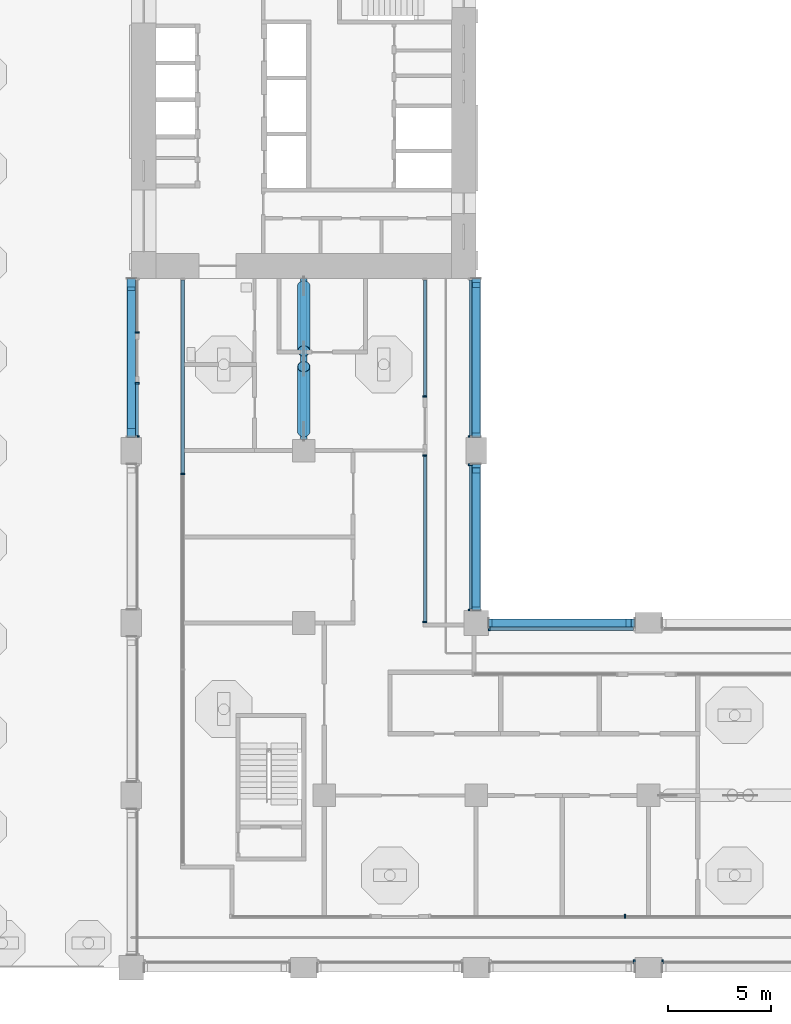
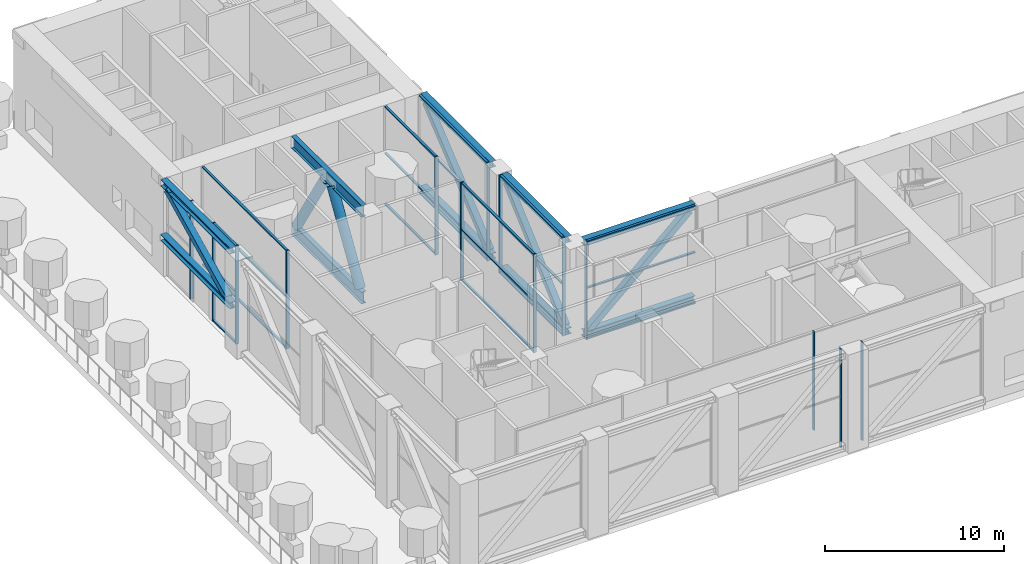
# One storey, part 3 of 22: 51 members, 11 elements without a shape of their own.
"""IFC4 building model written with IfcOpenShell, lengths in metres."""

import ifcopenshell
import ifcopenshell.guid

model = None  # the IFC model being written
_history = None  # IfcOwnerHistory: only IFC2X3 demands one
_inside = {}  # id of a spatial element -> (the spatial element, [elements in it])
_under = {}  # id of a project, library or spatial element -> (it, [spatial elements below it])
_declared = {}  # id of a project -> (the project, [libraries it declares])
_typed = {}  # id of a type object -> (the type object, [elements of that type])
_made_of = {}  # id of a material, layer set ... -> (it, [elements and type objects made of it])


def new_model(schema):
    """Start an empty IFC model of exactly this schema.

    Asked for "IFC4X3", IfcOpenShell would pick the latest addendum, in which some entities
    have other attributes; the version numbers below select the first issue.
    IFC2X3 requires an IfcOwnerHistory on every rooted entity: one is made here for all.
    """
    global model, _history
    if schema == "IFC4X3":
        model = ifcopenshell.file(schema_version=(4, 3, 0, 0))
    else:
        model = ifcopenshell.file(schema=schema)
    _inside.clear()
    _under.clear()
    _declared.clear()
    _typed.clear()
    _made_of.clear()
    _history = None
    if model.schema == "IFC2X3":
        org = make("IfcOrganization", Name="unknown")
        user = make(
            "IfcPersonAndOrganization",
            ThePerson=make("IfcPerson", FamilyName="unknown"),
            TheOrganization=org,
        )
        app = make(
            "IfcApplication",
            ApplicationDeveloper=org,
            Version="unknown",
            ApplicationFullName="unknown",
            ApplicationIdentifier="unknown",
        )
        _history = make(
            "IfcOwnerHistory",
            OwningUser=user,
            OwningApplication=app,
            ChangeAction="ADDED",
            CreationDate=0,
        )
    return model


def make(cls, **values):
    """One entity of the class cls with the attributes given. An attribute that is None is left unset."""
    return model.create_entity(
        cls, **{name: value for name, value in values.items() if value is not None}
    )


def rooted(cls, **values):
    """An entity with a GlobalId (a new one), such as an element, a storey or a relation."""
    return make(cls, GlobalId=ifcopenshell.guid.new(), OwnerHistory=_history, **values)


def si_unit(unit_type, name, prefix=None):
    """IfcSIUnit, for example si_unit("LENGTHUNIT", "METRE", prefix="MILLI")."""
    return make("IfcSIUnit", UnitType=unit_type, Prefix=prefix, Name=name)


def assignment(units):
    """IfcUnitAssignment: the units of a project."""
    return None if units is None else make("IfcUnitAssignment", Units=units)


def point(xyz):
    """IfcCartesianPoint."""
    return None if xyz is None else make("IfcCartesianPoint", Coordinates=xyz)


def direction(xyz):
    """IfcDirection."""
    return None if xyz is None else make("IfcDirection", DirectionRatios=xyz)


def frame(location, z_axis=None, x_axis=None):
    """IfcAxis2Placement3D, a coordinate frame: its origin and axes. An axis left out is left unset."""
    return make(
        "IfcAxis2Placement3D",
        Location=point(location),
        Axis=direction(z_axis),
        RefDirection=direction(x_axis),
    )


def frame_2d(location, x_axis=None):
    """IfcAxis2Placement2D, a coordinate frame in the plane: its origin and x axis."""
    return make(
        "IfcAxis2Placement2D", Location=point(location), RefDirection=direction(x_axis)
    )


def origin():
    """The frame at (0, 0, 0) with its axes left unset."""
    return frame((0.0, 0.0, 0.0))


def origin_2d():
    """The frame at (0, 0) in the plane with its x axis left unset."""
    return frame_2d((0.0, 0.0))


def place(relative_to, where):
    """IfcLocalPlacement: puts the frame where relative to a parent placement (None: the world)."""
    return make(
        "IfcLocalPlacement", PlacementRelTo=relative_to, RelativePlacement=where
    )


def context(
    kind, dimensions, precision=None, world=None, true_north=None, identifier=None
):
    """IfcGeometricRepresentationContext, for example the 3D "Model" context."""
    return make(
        "IfcGeometricRepresentationContext",
        ContextIdentifier=identifier,
        ContextType=kind,
        CoordinateSpaceDimension=dimensions,
        Precision=precision,
        WorldCoordinateSystem=world,
        TrueNorth=true_north,
    )


def subcontext(parent, identifier, kind, view, scale=None):
    """IfcGeometricRepresentationSubContext, for example "Body" below "Model"."""
    return make(
        "IfcGeometricRepresentationSubContext",
        ContextIdentifier=identifier,
        ContextType=kind,
        ParentContext=parent,
        TargetScale=scale,
        TargetView=view,
    )


def project(units=None, contexts=None):
    """IfcProject with its units and contexts."""
    return rooted(
        "IfcProject",
        Name="project",
        RepresentationContexts=contexts,
        UnitsInContext=assignment(units),
    )


def spatial(cls, under=None, at=None, **own):
    """A site, building, storey or space (cls), placed at a placement, below another one or the project."""
    s = rooted(cls, ObjectPlacement=at, **own)
    if under is not None:
        _under.setdefault(under.id(), (under, []))[1].append(s)
    return s


def profile(cls, at=None, kind="AREA", **sizes):
    """A parametric profile (cls). Its sizes go by their IFC names, for example OverallWidth=200.0."""
    return make(cls, ProfileType=kind, Position=at, **sizes)


def rectangle(**sizes):
    """IfcRectangleProfileDef."""
    return profile("IfcRectangleProfileDef", **sizes)


def hollow_rectangle(**sizes):
    """IfcRectangleHollowProfileDef."""
    return profile("IfcRectangleHollowProfileDef", **sizes)


def hollow_circle(**sizes):
    """IfcCircleHollowProfileDef."""
    return profile("IfcCircleHollowProfileDef", **sizes)


def i_section(**sizes):
    """IfcIShapeProfileDef."""
    return profile("IfcIShapeProfileDef", **sizes)


def extrude(swept, where, along, depth):
    """IfcExtrudedAreaSolid: the profile swept, set in the frame where, extruded along a direction by depth."""
    return make(
        "IfcExtrudedAreaSolid",
        SweptArea=swept,
        Position=where,
        ExtrudedDirection=direction(along),
        Depth=depth,
    )


def shape(context_of_items, identifier, shape_type, items):
    """IfcShapeRepresentation: the items that make up one representation, for example the "Body"."""
    return make(
        "IfcShapeRepresentation",
        ContextOfItems=context_of_items,
        RepresentationIdentifier=identifier,
        RepresentationType=shape_type,
        Items=items,
    )


def material(Name=None, Category=None):
    """IfcMaterial."""
    return make("IfcMaterial", Name=Name, Category=Category)


def material_profile(
    of_material, cross_section, Name=None, Category=None, Priority=None
):
    """IfcMaterialProfile: a cross section and its material."""
    return make(
        "IfcMaterialProfile",
        Name=Name,
        Material=of_material,
        Profile=cross_section,
        Priority=Priority,
        Category=Category,
    )


def profile_set(profiles, Name=None, composite=None):
    """IfcMaterialProfileSet."""
    return make(
        "IfcMaterialProfileSet",
        Name=Name,
        MaterialProfiles=profiles,
        CompositeProfile=composite,
    )


def made_of(thing, what):
    """Note that an element or type object is made of a material, layer set ...; save() writes the relation."""
    if what is not None:
        _made_of.setdefault(what.id(), (what, []))[1].append(thing)
    return thing


def type_object(cls, material=None, **own):
    """A type object (cls), such as IfcWallType, which elements share."""
    return made_of(rooted(cls, **own), material)


def element(
    cls,
    number,
    at=None,
    inside=None,
    cuts=None,
    type_object=None,
    material=None,
    context=None,
    identifier="Body",
    shape_type=None,
    held_by="IfcProductDefinitionShape",
    body=None,
    shapes=None,
    **own,
):
    """One element of the class cls, such as IfcWall. Its Tag is "e" and its number.

    at: its placement. inside: the storey or other place that contains it. cuts: it is an
    opening in that element (IfcRelVoidsElement). A single representation is given by context,
    identifier, shape_type and body (its items); several are given by shapes. held_by: the class
    of the entity that holds the representations. save() writes the other relations.
    """
    e = rooted(cls, Tag="e%d" % number, ObjectPlacement=at, **own)
    if body is not None:
        shapes = [shape(context, identifier, shape_type, body)]
    if shapes is not None:
        e.Representation = make(held_by, Representations=shapes)
    if inside is not None:
        _inside.setdefault(inside.id(), (inside, []))[1].append(e)
    if cuts is not None:
        rooted(
            "IfcRelVoidsElement", RelatingBuildingElement=cuts, RelatedOpeningElement=e
        )
    if type_object is not None:
        _typed.setdefault(type_object.id(), (type_object, []))[1].append(e)
    return made_of(e, material)


def aggregate(whole, parts):
    """IfcRelAggregates: a whole, such as a stair, and the parts it consists of."""
    return rooted("IfcRelAggregates", RelatingObject=whole, RelatedObjects=parts)


def save(model, path):
    """Write the relations noted so far, then the file.

    IfcRelAggregates (storeys below a building ...), IfcRelContainedInSpatialStructure (elements
    in a storey), IfcRelDefinesByType, IfcRelAssociatesMaterial and IfcRelDeclares: one each for
    every whole, place, type object, material and project.
    """
    for whole, parts in _under.values():
        aggregate(whole, parts)
    for where, things in _inside.values():
        rooted(
            "IfcRelContainedInSpatialStructure",
            RelatedElements=things,
            RelatingStructure=where,
        )
    for kind, things in _typed.values():
        rooted("IfcRelDefinesByType", RelatedObjects=things, RelatingType=kind)
    for what, things in _made_of.values():
        rooted("IfcRelAssociatesMaterial", RelatedObjects=things, RelatingMaterial=what)
    for by, libraries in _declared.values():
        rooted("IfcRelDeclares", RelatingContext=by, RelatedDefinitions=libraries)
    model.write(path)


model = new_model("IFC4")

# Units and contexts
model_context = context("Model", 3, precision=1e-05, world=origin(), true_north=direction((0.0, 1.0)))
body_context = subcontext(model_context, "Body", "Model", "MODEL_VIEW")
ifc_project = project(units=[si_unit("LENGTHUNIT", "METRE"), si_unit("AREAUNIT", "SQUARE_METRE"), si_unit("VOLUMEUNIT", "CUBIC_METRE"), si_unit("PLANEANGLEUNIT", "RADIAN"), si_unit("MASSUNIT", "GRAM", prefix="KILO")], contexts=[model_context])

# Site, building, storey
site_placement = place(None, origin())
site = spatial("IfcSite", under=ifc_project, at=site_placement, CompositionType="ELEMENT")
building_placement = place(site_placement, origin())
building = spatial("IfcBuilding", under=site, at=building_placement, Name="Vermilion Gate Residences", CompositionType="ELEMENT")
storey_placement = place(building_placement, frame((0.0, 0.0, 140.699951171875)))
storey = spatial("IfcBuildingStorey", under=building, at=storey_placement, Name="L36", CompositionType="ELEMENT", Elevation=140.699951171875)

# Curtain wall, member
ifc_material_1 = material(Name="Aluminium and glass", Category="aluminium")
curtain_wall_type = type_object("IfcCurtainWallType", Name="SKY GARDEN GLAZING CURTAIN WALL", PredefinedType="NOTDEFINED", material=ifc_material_1)
curtain_wall_1_placement = place(storey_placement, origin())
curtain_wall_1 = element("IfcCurtainWall", 1, at=curtain_wall_1_placement, inside=storey, type_object=curtain_wall_type, Name="Sky Garden Glazing 0", PredefinedType="NOTDEFINED")
ifc_material_2 = material(Name="Aluminium", Category="aluminium")
ifc_material_profile_1 = material_profile(ifc_material_2, rectangle(XDim=0.199951171875, YDim=0.080078125, at=origin_2d()), Name="MULLION 80 X 200")
ifc_profile_set_1 = profile_set([ifc_material_profile_1], Name="Aluminium")
member_type_1 = type_object("IfcMemberType", Name="SKY GARDEN GLAZING MULLION 80 X 200", PredefinedType="MULLION", material=ifc_profile_set_1)
member_1_placement = place(storey_placement, frame((10.89990234375, 32.466552734375, 0.0), z_axis=(0.0, 0.0, 1.0), x_axis=(1.0, 0.0, 0.0)))
member_1 = element("IfcMember", 2, at=member_1_placement, type_object=member_type_1, Name="ECW3 mullion 2", PredefinedType="MULLION", context=body_context, shape_type="SweptSolid", body=[
    extrude(rectangle(XDim=0.199951171875, YDim=0.080078125, at=origin_2d()), origin(), (0.0, 0.0, 1.0), 6.719970703125),
])

curtain_wall_2_placement = place(storey_placement, origin())
curtain_wall_2 = element("IfcCurtainWall", 3, at=curtain_wall_2_placement, inside=storey, type_object=curtain_wall_type, Name="Sky Garden Glazing 32", PredefinedType="NOTDEFINED")
member_2_placement = place(storey_placement, frame((32.449951171875, 10.89990234375, 0.0), z_axis=(0.0, 0.0, 1.0), x_axis=(0.0, 1.0, 0.0)))
member_2 = element("IfcMember", 4, at=member_2_placement, type_object=member_type_1, Name="ECW3 mullion 2", PredefinedType="MULLION", context=body_context, shape_type="SweptSolid", body=[
    extrude(rectangle(XDim=0.199951171875, YDim=0.080078125, at=origin_2d()), origin(), (0.0, 0.0, 1.0), 6.719970703125),
])
aggregate(curtain_wall_2, [member_2])

# Curtain wall, members
curtain_wall_3_placement = place(storey_placement, origin())
curtain_wall_3 = element("IfcCurtainWall", 5, at=curtain_wall_3_placement, inside=storey, type_object=curtain_wall_type, Name="Sky Garden Glazing 140", PredefinedType="NOTDEFINED")
member_3_placement = place(storey_placement, frame((22.699951171875, 25.239990234375, 0.0), z_axis=(0.0, 0.0, 1.0), x_axis=(-1.0, 0.0, 0.0)))
member_3 = element("IfcMember", 6, at=member_3_placement, type_object=member_type_1, Name="ECW3 mullion 1", PredefinedType="MULLION", context=body_context, shape_type="SweptSolid", body=[
    extrude(rectangle(XDim=0.199951171875, YDim=0.080078125, at=origin_2d()), origin(), (0.0, 0.0, 1.0), 6.719970703125),
])
member_4_placement = place(storey_placement, frame((22.699951171875, 33.360107421875, 0.0), z_axis=(0.0, 0.0, 1.0), x_axis=(-1.0, 0.0, 0.0)))
member_4 = element("IfcMember", 7, at=member_4_placement, type_object=member_type_1, Name="ECW3 mullion 2", PredefinedType="MULLION", context=body_context, shape_type="SweptSolid", body=[
    extrude(rectangle(XDim=0.199951171875, YDim=0.080078125, at=origin_2d()), origin(), (0.0, 0.0, 1.0), 6.719970703125),
])

# Curtain wall, member
curtain_wall_4_placement = place(storey_placement, origin())
curtain_wall_4 = element("IfcCurtainWall", 8, at=curtain_wall_4_placement, inside=storey, type_object=curtain_wall_type, Name="Sky Garden Glazing 142", PredefinedType="NOTDEFINED")
member_5_placement = place(storey_placement, frame((22.699951171875, 36.239990234375, 0.0), z_axis=(0.0, 0.0, 1.0), x_axis=(-1.0, 0.0, 0.0)))
member_5 = element("IfcMember", 9, at=member_5_placement, type_object=member_type_1, Name="ECW3 mullion 1", PredefinedType="MULLION", context=body_context, shape_type="SweptSolid", body=[
    extrude(rectangle(XDim=0.199951171875, YDim=0.080078125, at=origin_2d()), origin(), (0.0, 0.0, 1.0), 6.719970703125),
])

curtain_wall_5_placement = place(storey_placement, origin())
curtain_wall_5 = element("IfcCurtainWall", 10, at=curtain_wall_5_placement, inside=storey, type_object=curtain_wall_type, Name="Sky Garden Glazing 700", PredefinedType="NOTDEFINED")
member_6_placement = place(storey_placement, frame((8.679931640625, 39.364990234375, 0.0), z_axis=(0.0, 0.0, 1.0), x_axis=(1.0, 0.0, 0.0)))
member_6 = element("IfcMember", 11, at=member_6_placement, type_object=member_type_1, Name="ECW3 mullion 2", PredefinedType="MULLION", context=body_context, shape_type="SweptSolid", body=[
    extrude(rectangle(XDim=0.199951171875, YDim=0.080078125, at=origin_2d()), origin(), (0.0, 0.0, 1.0), 6.719970703125),
])
aggregate(curtain_wall_5, [member_6])

# Curtain wall, members
curtain_wall_6_placement = place(storey_placement, origin())
curtain_wall_6 = element("IfcCurtainWall", 12, at=curtain_wall_6_placement, inside=storey, type_object=curtain_wall_type, Name="Sky Garden Glazing 702", PredefinedType="NOTDEFINED")
member_7_placement = place(storey_placement, frame((8.679931640625, 36.885009765625, 0.0), z_axis=(0.0, 0.0, 1.0), x_axis=(1.0, 0.0, 0.0)))
member_7 = element("IfcMember", 13, at=member_7_placement, type_object=member_type_1, Name="ECW3 mullion 1", PredefinedType="MULLION", context=body_context, shape_type="SweptSolid", body=[
    extrude(rectangle(XDim=0.199951171875, YDim=0.080078125, at=origin_2d()), origin(), (0.0, 0.0, 1.0), 6.719970703125),
])
member_8_placement = place(storey_placement, frame((8.679931640625, 34.2900390625, 0.0), z_axis=(0.0, 0.0, 1.0), x_axis=(1.0, 0.0, 0.0)))
member_8 = element("IfcMember", 14, at=member_8_placement, type_object=member_type_1, Name="ECW3 mullion 2", PredefinedType="MULLION", context=body_context, shape_type="SweptSolid", body=[
    extrude(rectangle(XDim=0.199951171875, YDim=0.080078125, at=origin_2d()), origin(), (0.0, 0.0, 1.0), 6.719970703125),
])

# Curtain wall, member
curtain_wall_7_placement = place(storey_placement, origin())
curtain_wall_7 = element("IfcCurtainWall", 15, at=curtain_wall_7_placement, inside=storey, type_object=curtain_wall_type, Name="Sky Garden Glazing 506", PredefinedType="NOTDEFINED")
member_9_placement = place(storey_placement, frame((32.909912109375, 8.679931640625, 0.0), z_axis=(0.0, 0.0, 1.0), x_axis=(0.0, 1.0, 0.0)))
member_9 = element("IfcMember", 16, at=member_9_placement, type_object=member_type_1, Name="ECW3 mullion 2", PredefinedType="MULLION", context=body_context, shape_type="SweptSolid", body=[
    extrude(rectangle(XDim=0.199951171875, YDim=0.080078125, at=origin_2d()), origin(), (0.0, 0.0, 1.0), 6.719970703125),
])
aggregate(curtain_wall_7, [member_9])

curtain_wall_8_placement = place(storey_placement, origin())
curtain_wall_8 = element("IfcCurtainWall", 17, at=curtain_wall_8_placement, inside=storey, type_object=curtain_wall_type, Name="Sky Garden Glazing 507", PredefinedType="NOTDEFINED")
member_10_placement = place(storey_placement, frame((34.2900390625, 8.679931640625, 0.0), z_axis=(0.0, 0.0, 1.0), x_axis=(0.0, 1.0, 0.0)))
member_10 = element("IfcMember", 18, at=member_10_placement, type_object=member_type_1, Name="ECW3 mullion 1", PredefinedType="MULLION", context=body_context, shape_type="SweptSolid", body=[
    extrude(rectangle(XDim=0.199951171875, YDim=0.080078125, at=origin_2d()), origin(), (0.0, 0.0, 1.0), 6.719970703125),
])
aggregate(curtain_wall_8, [member_10])

curtain_wall_9_placement = place(storey_placement, origin())
curtain_wall_9 = element("IfcCurtainWall", 19, at=curtain_wall_9_placement, inside=storey, type_object=curtain_wall_type, Name="Sky Garden Glazing 515", PredefinedType="NOTDEFINED")
member_11_placement = place(storey_placement, frame((25.840087890625, 24.919921875, 0.0), z_axis=(0.0, 0.0, 1.0), x_axis=(0.0, -1.0, 0.0)))
member_11 = element("IfcMember", 20, at=member_11_placement, type_object=member_type_1, Name="ECW3 mullion 2", PredefinedType="MULLION", context=body_context, shape_type="SweptSolid", body=[
    extrude(rectangle(XDim=0.199951171875, YDim=0.080078125, at=origin_2d()), origin(), (0.0, 0.0, 1.0), 6.719970703125),
])

# Curtain wall, members
curtain_wall_10_placement = place(storey_placement, origin())
curtain_wall_10 = element("IfcCurtainWall", 21, at=curtain_wall_10_placement, inside=storey, type_object=curtain_wall_type, Name="Sky Garden Glazing 516", PredefinedType="NOTDEFINED")
member_12_placement = place(storey_placement, frame((24.919921875, 25.840087890625, 0.0), z_axis=(0.0, 0.0, 1.0), x_axis=(-1.0, 0.0, 0.0)))
member_12 = element("IfcMember", 22, at=member_12_placement, type_object=member_type_1, Name="ECW3 mullion 1", PredefinedType="MULLION", context=body_context, shape_type="SweptSolid", body=[
    extrude(rectangle(XDim=0.199951171875, YDim=0.080078125, at=origin_2d()), origin(), (0.0, 0.0, 1.0), 6.719970703125),
])
member_13_placement = place(storey_placement, frame((24.919921875, 32.909912109375, 0.0), z_axis=(0.0, 0.0, 1.0), x_axis=(-1.0, 0.0, 0.0)))
member_13 = element("IfcMember", 23, at=member_13_placement, type_object=member_type_1, Name="ECW3 mullion 2", PredefinedType="MULLION", context=body_context, shape_type="SweptSolid", body=[
    extrude(rectangle(XDim=0.199951171875, YDim=0.080078125, at=origin_2d()), origin(), (0.0, 0.0, 1.0), 6.719970703125),
])

# Curtain wall, member
curtain_wall_11_placement = place(storey_placement, origin())
curtain_wall_11 = element("IfcCurtainWall", 24, at=curtain_wall_11_placement, inside=storey, type_object=curtain_wall_type, Name="Sky Garden Glazing 517", PredefinedType="NOTDEFINED")
member_14_placement = place(storey_placement, frame((24.919921875, 34.2900390625, 0.0), z_axis=(0.0, 0.0, 1.0), x_axis=(-1.0, 0.0, 0.0)))
member_14 = element("IfcMember", 25, at=member_14_placement, type_object=member_type_1, Name="ECW3 mullion 1", PredefinedType="MULLION", context=body_context, shape_type="SweptSolid", body=[
    extrude(rectangle(XDim=0.199951171875, YDim=0.080078125, at=origin_2d()), origin(), (0.0, 0.0, 1.0), 6.719970703125),
])

# Member
ifc_material_3 = material(Name="Aluminium", Category="aluminium")
ifc_material_profile_2 = material_profile(ifc_material_3, rectangle(XDim=0.14990234375, YDim=0.080078125, at=origin_2d()), Name="TRANSOM 80 X 150")
ifc_profile_set_2 = profile_set([ifc_material_profile_2], Name="Aluminium")
member_type_2 = type_object("IfcMemberType", Name="SKY GARDEN GLAZING TRANSOM 80 X 150", PredefinedType="MULLION", material=ifc_profile_set_2)
member_15_placement = place(storey_placement, frame((10.89990234375, 41.919921875, 0.0400390625), z_axis=(0.0, -1.0, 0.0), x_axis=(1.0, 0.0, 0.0)))
member_15 = element("IfcMember", 26, at=member_15_placement, type_object=member_type_2, Name="ECW3 transom 1.1", PredefinedType="MULLION", context=body_context, shape_type="SweptSolid", body=[
    extrude(rectangle(XDim=0.14990234375, YDim=0.080078125, at=origin_2d()), origin(), (0.0, 0.0, 1.0), 9.413330078125),
])

member_16_placement = place(storey_placement, frame((10.89990234375, 41.919921875, 3.5), z_axis=(0.0, -1.0, 0.0), x_axis=(1.0, 0.0, 0.0)))
member_16 = element("IfcMember", 27, at=member_16_placement, type_object=member_type_2, Name="ECW3 transom 1.2", PredefinedType="MULLION", context=body_context, shape_type="SweptSolid", body=[
    extrude(rectangle(XDim=0.14990234375, YDim=0.080078125, at=origin_2d()), origin(), (0.0, 0.0, 1.0), 9.413330078125),
])

member_17_placement = place(storey_placement, frame((10.89990234375, 41.919921875, 6.679931640625), z_axis=(0.0, -1.0, 0.0), x_axis=(1.0, 0.0, 0.0)))
member_17 = element("IfcMember", 28, at=member_17_placement, type_object=member_type_2, Name="ECW3 transom 1.3", PredefinedType="MULLION", context=body_context, shape_type="SweptSolid", body=[
    extrude(rectangle(XDim=0.14990234375, YDim=0.080078125, at=origin_2d()), origin(), (0.0, 0.0, 1.0), 9.413330078125),
])

aggregate(curtain_wall_1, [member_1, member_15, member_16, member_17])

member_18_placement = place(storey_placement, frame((22.699951171875, 25.280029296875, 0.0400390625), z_axis=(0.0, 1.0, 0.0), x_axis=(-1.0, 0.0, 0.0)))
member_18 = element("IfcMember", 29, at=member_18_placement, type_object=member_type_2, Name="ECW3 transom 1.1", PredefinedType="MULLION", context=body_context, shape_type="SweptSolid", body=[
    extrude(rectangle(XDim=0.14990234375, YDim=0.080078125, at=origin_2d()), origin(), (0.0, 0.0, 1.0), 8.0400390625),
])

member_19_placement = place(storey_placement, frame((22.699951171875, 25.280029296875, 3.5), z_axis=(0.0, 1.0, 0.0), x_axis=(-1.0, 0.0, 0.0)))
member_19 = element("IfcMember", 30, at=member_19_placement, type_object=member_type_2, Name="ECW3 transom 1.2", PredefinedType="MULLION", context=body_context, shape_type="SweptSolid", body=[
    extrude(rectangle(XDim=0.14990234375, YDim=0.080078125, at=origin_2d()), origin(), (0.0, 0.0, 1.0), 8.0400390625),
])

member_20_placement = place(storey_placement, frame((22.699951171875, 25.280029296875, 6.679931640625), z_axis=(0.0, 1.0, 0.0), x_axis=(-1.0, 0.0, 0.0)))
member_20 = element("IfcMember", 31, at=member_20_placement, type_object=member_type_2, Name="ECW3 transom 1.3", PredefinedType="MULLION", context=body_context, shape_type="SweptSolid", body=[
    extrude(rectangle(XDim=0.14990234375, YDim=0.080078125, at=origin_2d()), origin(), (0.0, 0.0, 1.0), 8.0400390625),
])

aggregate(curtain_wall_3, [member_3, member_4, member_18, member_19, member_20])

member_21_placement = place(storey_placement, frame((22.699951171875, 36.280029296875, 0.0400390625), z_axis=(0.0, 1.0, 0.0), x_axis=(-1.0, 0.0, 0.0)))
member_21 = element("IfcMember", 32, at=member_21_placement, type_object=member_type_2, Name="ECW3 transom 1.1", PredefinedType="MULLION", context=body_context, shape_type="SweptSolid", body=[
    extrude(rectangle(XDim=0.14990234375, YDim=0.080078125, at=origin_2d()), origin(), (0.0, 0.0, 1.0), 5.639892578125),
])

member_22_placement = place(storey_placement, frame((22.699951171875, 36.280029296875, 3.5), z_axis=(0.0, 1.0, 0.0), x_axis=(-1.0, 0.0, 0.0)))
member_22 = element("IfcMember", 33, at=member_22_placement, type_object=member_type_2, Name="ECW3 transom 1.2", PredefinedType="MULLION", context=body_context, shape_type="SweptSolid", body=[
    extrude(rectangle(XDim=0.14990234375, YDim=0.080078125, at=origin_2d()), origin(), (0.0, 0.0, 1.0), 5.639892578125),
])

member_23_placement = place(storey_placement, frame((22.699951171875, 36.280029296875, 6.679931640625), z_axis=(0.0, 1.0, 0.0), x_axis=(-1.0, 0.0, 0.0)))
member_23 = element("IfcMember", 34, at=member_23_placement, type_object=member_type_2, Name="ECW3 transom 1.3", PredefinedType="MULLION", context=body_context, shape_type="SweptSolid", body=[
    extrude(rectangle(XDim=0.14990234375, YDim=0.080078125, at=origin_2d()), origin(), (0.0, 0.0, 1.0), 5.639892578125),
])

aggregate(curtain_wall_4, [member_5, member_21, member_22, member_23])

member_24_placement = place(storey_placement, frame((8.679931640625, 36.844970703125, 0.0400390625), z_axis=(0.0, -1.0, 0.0), x_axis=(1.0, 0.0, 0.0)))
member_24 = element("IfcMember", 35, at=member_24_placement, type_object=member_type_2, Name="ECW3 transom 1.1", PredefinedType="MULLION", context=body_context, shape_type="SweptSolid", body=[
    extrude(rectangle(XDim=0.14990234375, YDim=0.080078125, at=origin_2d()), origin(), (0.0, 0.0, 1.0), 2.514892578125),
])

member_25_placement = place(storey_placement, frame((8.679931640625, 36.844970703125, 3.5), z_axis=(0.0, -1.0, 0.0), x_axis=(1.0, 0.0, 0.0)))
member_25 = element("IfcMember", 36, at=member_25_placement, type_object=member_type_2, Name="ECW3 transom 1.2", PredefinedType="MULLION", context=body_context, shape_type="SweptSolid", body=[
    extrude(rectangle(XDim=0.14990234375, YDim=0.080078125, at=origin_2d()), origin(), (0.0, 0.0, 1.0), 2.514892578125),
])

member_26_placement = place(storey_placement, frame((8.679931640625, 36.844970703125, 6.679931640625), z_axis=(0.0, -1.0, 0.0), x_axis=(1.0, 0.0, 0.0)))
member_26 = element("IfcMember", 37, at=member_26_placement, type_object=member_type_2, Name="ECW3 transom 1.3", PredefinedType="MULLION", context=body_context, shape_type="SweptSolid", body=[
    extrude(rectangle(XDim=0.14990234375, YDim=0.080078125, at=origin_2d()), origin(), (0.0, 0.0, 1.0), 2.514892578125),
])

aggregate(curtain_wall_6, [member_7, member_8, member_24, member_25, member_26])

member_27_placement = place(storey_placement, frame((32.8701171875, 24.919921875, 0.0400390625), z_axis=(-1.0, 0.0, 0.0), x_axis=(0.0, -1.0, 0.0)))
member_27 = element("IfcMember", 38, at=member_27_placement, type_object=member_type_2, Name="ECW3 transom 1.1", PredefinedType="MULLION", context=body_context, shape_type="SweptSolid", body=[
    extrude(rectangle(XDim=0.14990234375, YDim=0.080078125, at=origin_2d()), origin(), (0.0, 0.0, 1.0), 6.990234375),
])

member_28_placement = place(storey_placement, frame((32.8701171875, 24.919921875, 3.5), z_axis=(-1.0, 0.0, 0.0), x_axis=(0.0, -1.0, 0.0)))
member_28 = element("IfcMember", 39, at=member_28_placement, type_object=member_type_2, Name="ECW3 transom 1.2", PredefinedType="MULLION", context=body_context, shape_type="SweptSolid", body=[
    extrude(rectangle(XDim=0.14990234375, YDim=0.080078125, at=origin_2d()), origin(), (0.0, 0.0, 1.0), 6.990234375),
])

member_29_placement = place(storey_placement, frame((32.8701171875, 24.919921875, 6.679931640625), z_axis=(-1.0, 0.0, 0.0), x_axis=(0.0, -1.0, 0.0)))
member_29 = element("IfcMember", 40, at=member_29_placement, type_object=member_type_2, Name="ECW3 transom 1.3", PredefinedType="MULLION", context=body_context, shape_type="SweptSolid", body=[
    extrude(rectangle(XDim=0.14990234375, YDim=0.080078125, at=origin_2d()), origin(), (0.0, 0.0, 1.0), 6.990234375),
])

aggregate(curtain_wall_9, [member_11, member_27, member_28, member_29])

member_30_placement = place(storey_placement, frame((24.919921875, 25.8798828125, 0.0400390625), z_axis=(0.0, 1.0, 0.0), x_axis=(-1.0, 0.0, 0.0)))
member_30 = element("IfcMember", 41, at=member_30_placement, type_object=member_type_2, Name="ECW3 transom 1.1", PredefinedType="MULLION", context=body_context, shape_type="SweptSolid", body=[
    extrude(rectangle(XDim=0.14990234375, YDim=0.080078125, at=origin_2d()), origin(), (0.0, 0.0, 1.0), 6.990234375),
])

member_31_placement = place(storey_placement, frame((24.919921875, 25.8798828125, 3.5), z_axis=(0.0, 1.0, 0.0), x_axis=(-1.0, 0.0, 0.0)))
member_31 = element("IfcMember", 42, at=member_31_placement, type_object=member_type_2, Name="ECW3 transom 1.2", PredefinedType="MULLION", context=body_context, shape_type="SweptSolid", body=[
    extrude(rectangle(XDim=0.14990234375, YDim=0.080078125, at=origin_2d()), origin(), (0.0, 0.0, 1.0), 6.990234375),
])

member_32_placement = place(storey_placement, frame((24.919921875, 25.8798828125, 6.679931640625), z_axis=(0.0, 1.0, 0.0), x_axis=(-1.0, 0.0, 0.0)))
member_32 = element("IfcMember", 43, at=member_32_placement, type_object=member_type_2, Name="ECW3 transom 1.3", PredefinedType="MULLION", context=body_context, shape_type="SweptSolid", body=[
    extrude(rectangle(XDim=0.14990234375, YDim=0.080078125, at=origin_2d()), origin(), (0.0, 0.0, 1.0), 6.990234375),
])

aggregate(curtain_wall_10, [member_12, member_13, member_30, member_31, member_32])

member_33_placement = place(storey_placement, frame((24.919921875, 34.330078125, 0.0400390625), z_axis=(0.0, 1.0, 0.0), x_axis=(-1.0, 0.0, 0.0)))
member_33 = element("IfcMember", 44, at=member_33_placement, type_object=member_type_2, Name="ECW3 transom 1.1", PredefinedType="MULLION", context=body_context, shape_type="SweptSolid", body=[
    extrude(rectangle(XDim=0.14990234375, YDim=0.080078125, at=origin_2d()), origin(), (0.0, 0.0, 1.0), 7.58984375),
])

member_34_placement = place(storey_placement, frame((24.919921875, 34.330078125, 3.5), z_axis=(0.0, 1.0, 0.0), x_axis=(-1.0, 0.0, 0.0)))
member_34 = element("IfcMember", 45, at=member_34_placement, type_object=member_type_2, Name="ECW3 transom 1.2", PredefinedType="MULLION", context=body_context, shape_type="SweptSolid", body=[
    extrude(rectangle(XDim=0.14990234375, YDim=0.080078125, at=origin_2d()), origin(), (0.0, 0.0, 1.0), 7.58984375),
])

member_35_placement = place(storey_placement, frame((24.919921875, 34.330078125, 6.679931640625), z_axis=(0.0, 1.0, 0.0), x_axis=(-1.0, 0.0, 0.0)))
member_35 = element("IfcMember", 46, at=member_35_placement, type_object=member_type_2, Name="ECW3 transom 1.3", PredefinedType="MULLION", context=body_context, shape_type="SweptSolid", body=[
    extrude(rectangle(XDim=0.14990234375, YDim=0.080078125, at=origin_2d()), origin(), (0.0, 0.0, 1.0), 7.58984375),
])

aggregate(curtain_wall_11, [member_14, member_33, member_34, member_35])

# Members
ifc_material_4 = material(Name="Steel SM490", Category="steel")
ifc_material_profile_3 = material_profile(ifc_material_4, i_section(OverallWidth=0.406982421875, OverallDepth=0.427978515625, WebThickness=0.02001953125, FlangeThickness=0.034912109375, at=origin_2d()), Name="H-428x407x20x35")
ifc_profile_set_3 = profile_set([ifc_material_profile_3], Name="Steel SM490")
member_type_3 = type_object("IfcMemberType", Name="STEEL BELT TRUSS CHORD H-428x407x20x35 SM490", PredefinedType="CHORD", material=ifc_profile_set_3)
for number, where, z_axis, x_axis, name in (
    (47, (8.39990234375, 34.25, 2.76416015625), (0.0, 1.0, 0.0), (-1.0, 0.0, 0.0), "Belt Truss chord bot L36 BELT25"),
    (48, (8.39990234375, 34.25, 6.506103515625), (0.0, 1.0, 0.0), (-1.0, 0.0, 0.0), "Belt Truss chord top L36 BELT25"),
):
    element("IfcMember", number, at=place(storey_placement, frame(where, z_axis=z_axis, x_axis=x_axis)), inside=storey, type_object=member_type_3, Name=name, PredefinedType="CHORD", context=body_context, shape_type="SweptSolid", body=[
        extrude(i_section(OverallWidth=0.406982421875, OverallDepth=0.427978515625, WebThickness=0.02001953125, FlangeThickness=0.034912109375, at=origin_2d()), origin(), (0.0, 0.0, 1.0), 7.75),
    ])
for number, where, z_axis, x_axis, name in (
    (49, (25.199951171875, 25.800048828125, 0.214111328125), (0.0, 1.0, 0.0), (-1.0, 0.0, 0.0), "Belt Truss chord bot L36 BELT27"),
    (50, (25.199951171875, 25.800048828125, 6.506103515625), (0.0, 1.0, 0.0), (-1.0, 0.0, 0.0), "Belt Truss chord top L36 BELT27"),
):
    element("IfcMember", number, at=place(storey_placement, frame(where, z_axis=z_axis, x_axis=x_axis)), inside=storey, type_object=member_type_3, Name=name, PredefinedType="CHORD", context=body_context, shape_type="SweptSolid", body=[
        extrude(i_section(OverallWidth=0.406982421875, OverallDepth=0.427978515625, WebThickness=0.02001953125, FlangeThickness=0.034912109375, at=origin_2d()), origin(), (0.0, 0.0, 1.0), 7.14990234375),
    ])
for number, where, z_axis, x_axis, name in (
    (51, (25.199951171875, 34.25, 0.214111328125), (0.0, 1.0, 0.0), (-1.0, 0.0, 0.0), "Belt Truss chord bot L36 BELT28"),
    (52, (25.199951171875, 34.25, 6.506103515625), (0.0, 1.0, 0.0), (-1.0, 0.0, 0.0), "Belt Truss chord top L36 BELT28"),
):
    element("IfcMember", number, at=place(storey_placement, frame(where, z_axis=z_axis, x_axis=x_axis)), inside=storey, type_object=member_type_3, Name=name, PredefinedType="CHORD", context=body_context, shape_type="SweptSolid", body=[
        extrude(i_section(OverallWidth=0.406982421875, OverallDepth=0.427978515625, WebThickness=0.02001953125, FlangeThickness=0.034912109375, at=origin_2d()), origin(), (0.0, 0.0, 1.0), 7.75),
    ])
for number, where, z_axis, x_axis, name in (
    (53, (25.800048828125, 25.199951171875, 0.214111328125), (1.0, 0.0, 0.0), (0.0, 1.0, 0.0), "Belt Truss chord bot L36 BELT30"),
    (54, (25.800048828125, 25.199951171875, 6.506103515625), (1.0, 0.0, 0.0), (0.0, 1.0, 0.0), "Belt Truss chord top L36 BELT30"),
):
    element("IfcMember", number, at=place(storey_placement, frame(where, z_axis=z_axis, x_axis=x_axis)), inside=storey, type_object=member_type_3, Name=name, PredefinedType="CHORD", context=body_context, shape_type="SweptSolid", body=[
        extrude(i_section(OverallWidth=0.406982421875, OverallDepth=0.427978515625, WebThickness=0.02001953125, FlangeThickness=0.034912109375, at=origin_2d()), origin(), (0.0, 0.0, 1.0), 7.14990234375),
    ])
ifc_material_5 = material(Name="Steel SM490", Category="steel")
ifc_material_profile_4 = material_profile(ifc_material_5, hollow_rectangle(XDim=0.39990234375, YDim=0.39990234375, WallThickness=0.01611328125, at=origin_2d()), Name="BOX-400x400x16")
ifc_profile_set_4 = profile_set([ifc_material_profile_4], Name="Steel SM490")
member_type_4 = type_object("IfcMemberType", Name="STEEL BELT TRUSS DIAGONAL BOX-400x400x16 SM490", PredefinedType="BRACE", material=ifc_profile_set_4)
member_36_placement = place(storey_placement, frame((8.39990234375, 34.7587890625, 2.97802734375), z_axis=(0.0, 0.897194873211, 0.441634871227), x_axis=(-1.0, 0.0, 0.0)))
element("IfcMember", 55, at=member_36_placement, inside=storey, type_object=member_type_4, Name="Belt Truss diagonal L36 BELT25-1", PredefinedType="BRACE", context=body_context, shape_type="SweptSolid", body=[
    extrude(hollow_rectangle(XDim=0.39990234375, YDim=0.39990234375, WallThickness=0.01611328125, at=origin_2d()), origin(), (0.0, 0.0, 1.0), 7.50390625),
])
member_37_placement = place(storey_placement, frame((25.199951171875, 26.115478515625, 0.427978515625), z_axis=(0.0, 0.743471332662, 0.668767805378), x_axis=(-1.0, 0.0, 0.0)))
element("IfcMember", 56, at=member_37_placement, inside=storey, type_object=member_type_4, Name="Belt Truss diagonal L36 BELT27-1", PredefinedType="BRACE", context=body_context, shape_type="SweptSolid", body=[
    extrude(hollow_rectangle(XDim=0.39990234375, YDim=0.39990234375, WallThickness=0.01611328125, at=origin_2d()), origin(), (0.0, 0.0, 1.0), 8.768310546875),
])
member_38_placement = place(storey_placement, frame((25.199951171875, 34.58154296875, 0.427978515625), z_axis=(0.0, 0.77044871262, 0.63750198527), x_axis=(-1.0, 0.0, 0.0)))
element("IfcMember", 57, at=member_38_placement, inside=storey, type_object=member_type_4, Name="Belt Truss diagonal L36 BELT28-1", PredefinedType="BRACE", context=body_context, shape_type="SweptSolid", body=[
    extrude(hollow_rectangle(XDim=0.39990234375, YDim=0.39990234375, WallThickness=0.01611328125, at=origin_2d()), origin(), (0.0, 0.0, 1.0), 9.198486328125),
])
member_39_placement = place(storey_placement, frame((26.115478515625, 25.199951171875, 0.427978515625), z_axis=(0.743471332662, 0.0, 0.668767805378), x_axis=(0.0, 1.0, 0.0)))
element("IfcMember", 58, at=member_39_placement, inside=storey, type_object=member_type_4, Name="Belt Truss diagonal L36 BELT30-1", PredefinedType="BRACE", context=body_context, shape_type="SweptSolid", body=[
    extrude(hollow_rectangle(XDim=0.39990234375, YDim=0.39990234375, WallThickness=0.01611328125, at=origin_2d()), origin(), (0.0, 0.0, 1.0), 8.768310546875),
])
ifc_material_6 = material(Name="Steel SM490", Category="steel")
ifc_material_profile_5 = material_profile(ifc_material_6, i_section(OverallWidth=0.300048828125, OverallDepth=0.800048828125, WebThickness=0.013916015625, FlangeThickness=0.02587890625, at=origin_2d()), Name="H-800x300x14x26")
ifc_profile_set_5 = profile_set([ifc_material_profile_5], Name="Steel SM490")
member_type_5 = type_object("IfcMemberType", Name="STEEL OUTRIGGER TRUSS CHORD H-800x300x14x26 SM490", PredefinedType="CHORD", material=ifc_profile_set_5)
for number, where, z_axis, x_axis, name in (
    (59, (16.800048828125, 42.0, 0.400146484375), (0.0, -1.0, 0.0), (1.0, 0.0, 0.0), "Outrigger Truss chord bot L36 OUT7"),
    (60, (16.800048828125, 42.0, 6.320068359375), (0.0, -1.0, 0.0), (1.0, 0.0, 0.0), "Outrigger Truss chord top L36 OUT7"),
):
    element("IfcMember", number, at=place(storey_placement, frame(where, z_axis=z_axis, x_axis=x_axis)), inside=storey, type_object=member_type_5, Name=name, PredefinedType="CHORD", context=body_context, shape_type="SweptSolid", body=[
        extrude(i_section(OverallWidth=0.300048828125, OverallDepth=0.800048828125, WebThickness=0.013916015625, FlangeThickness=0.02587890625, at=origin_2d()), origin(), (0.0, 0.0, 1.0), 7.85009765625),
    ])
ifc_material_7 = material(Name="Steel SM490", Category="steel")
ifc_material_profile_6 = material_profile(ifc_material_7, hollow_circle(Radius=0.3046875, WallThickness=0.01904296875, at=origin_2d()), Name="CHS-609.6x19")
ifc_profile_set_6 = profile_set([ifc_material_profile_6], Name="Steel SM490")
member_type_6 = type_object("IfcMemberType", Name="STEEL OUTRIGGER TRUSS DIAGONAL CHS-609.6x19 SM490", PredefinedType="BRACE", material=ifc_profile_set_6)
for number, where, z_axis, x_axis, name in (
    (61, (16.800048828125, 41.615966796875, 0.800048828125), (0.0, -0.524837732771, 0.851202299256), (1.0, 0.0, 0.0), "Outrigger Truss diagonal L36 OUT7-1"),
    (62, (16.800048828125, 37.69091796875, 5.920166015625), (0.0, -0.524837732771, -0.851202299256), (1.0, 0.0, 0.0), "Outrigger Truss diagonal L36 OUT7-2"),
):
    element("IfcMember", number, at=place(storey_placement, frame(where, z_axis=z_axis, x_axis=x_axis)), inside=storey, type_object=member_type_6, Name=name, PredefinedType="BRACE", context=body_context, shape_type="SweptSolid", body=[
        extrude(hollow_circle(Radius=0.3046875, WallThickness=0.01904296875, at=origin_2d()), origin(), (0.0, 0.0, 1.0), 6.01513671875),
    ])

save(model, "model.ifc")
